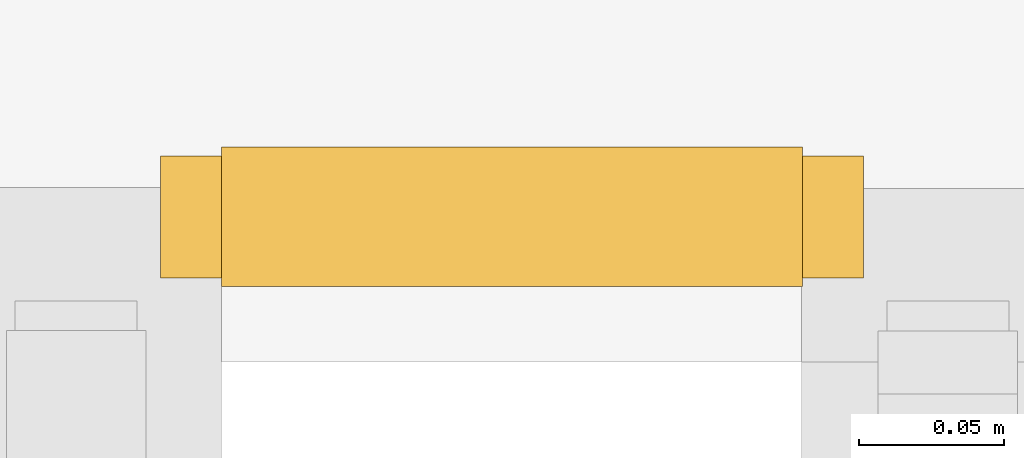
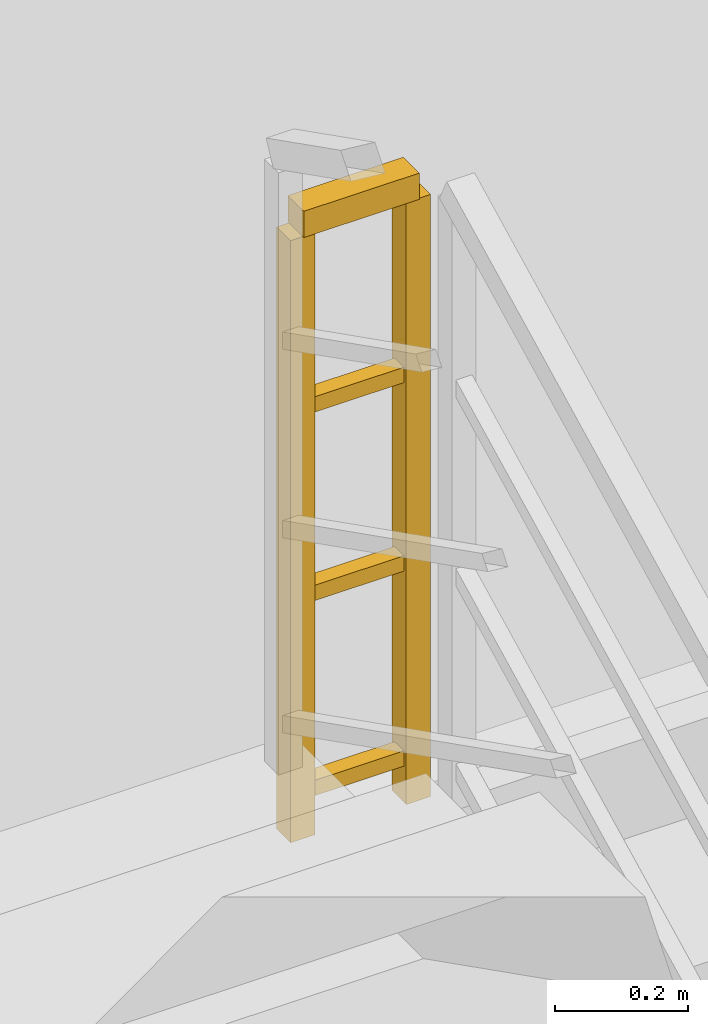
# One storey, part 18 of 20: 1 railing.
"""IFC4 building model written with IfcOpenShell, lengths in metres."""

from ifc_helpers import new_model, si_unit, direction, frame, origin, origin_2d, place, context, subcontext, project, spatial, rectangle, extrude, material, type_object, element, save


model = new_model("IFC4")

# Units and contexts
model_context = context("Model", 3, precision=1e-05, world=origin(), true_north=direction((0.0, 1.0)))
body_context = subcontext(model_context, "Body", "Model", "MODEL_VIEW")
ifc_project = project(units=[si_unit("LENGTHUNIT", "METRE"), si_unit("AREAUNIT", "SQUARE_METRE"), si_unit("VOLUMEUNIT", "CUBIC_METRE"), si_unit("PLANEANGLEUNIT", "RADIAN"), si_unit("MASSUNIT", "GRAM", prefix="KILO")], contexts=[model_context])

# Site, building, storey
site_placement = place(None, origin())
site = spatial("IfcSite", under=ifc_project, at=site_placement, CompositionType="ELEMENT")
building_placement = place(site_placement, origin())
building = spatial("IfcBuilding", under=site, at=building_placement, Name="Varakhsha Concourse Tower", CompositionType="ELEMENT")
storey_placement = place(building_placement, frame((0.0, 0.0, 16.5)))
storey = spatial("IfcBuildingStorey", under=building, at=storey_placement, Name="L04", CompositionType="ELEMENT", Elevation=16.5)

# Railing
ifc_material = material(Name="Brushed Austenitic Stainless Steel AISI 316", Category="steel")
railing_type = type_object("IfcRailingType", Name="RL-STAIR-GUARD-1100", PredefinedType="GUARDRAIL", material=ifc_material)
railing_placement = place(storey_placement, frame((61.820068359375, 16.81005859375, 2.75)))
element("IfcRailing", 1, at=railing_placement, inside=storey, type_object=railing_type, Name="L04 ST4 stair guard 2", PredefinedType="GUARDRAIL", context=body_context, shape_type="SweptSolid", body=[
    extrude(rectangle(XDim=0.048095703125, YDim=0.048095703125, at=origin_2d()), frame((0.0, 0.0, 1.1259765625), z_axis=(-1.0, 0.0, 0.0), x_axis=(0.0, -1.0, 0.0)), (0.0, 0.0, 1.0), 0.199951171875),
    extrude(rectangle(XDim=0.028076171875, YDim=0.028076171875, at=origin_2d()), frame((0.0, 0.0, 0.080078125), z_axis=(-1.0, 0.0, 0.0), x_axis=(0.0, -1.0, 0.0)), (0.0, 0.0, 1.0), 0.199951171875),
    extrude(rectangle(XDim=0.028076171875, YDim=0.028076171875, at=origin_2d()), frame((0.0, 0.0, 0.43701171875), z_axis=(-1.0, 0.0, 0.0), x_axis=(0.0, -1.0, 0.0)), (0.0, 0.0, 1.0), 0.199951171875),
    extrude(rectangle(XDim=0.028076171875, YDim=0.028076171875, at=origin_2d()), frame((0.0, 0.0, 0.781982421875), z_axis=(-1.0, 0.0, 0.0), x_axis=(0.0, -1.0, 0.0)), (0.0, 0.0, 1.0), 0.199951171875),
    extrude(rectangle(XDim=0.0419921875, YDim=0.0419921875, at=origin_2d()), origin(), (0.0, 0.0, 1.0), 1.101806640625),
    extrude(rectangle(XDim=0.0419921875, YDim=0.0419921875, at=origin_2d()), frame((-0.199951171875, 0.0, 0.0)), (0.0, 0.0, 1.0), 1.101806640625),
])

save(model, "model.ifc")
